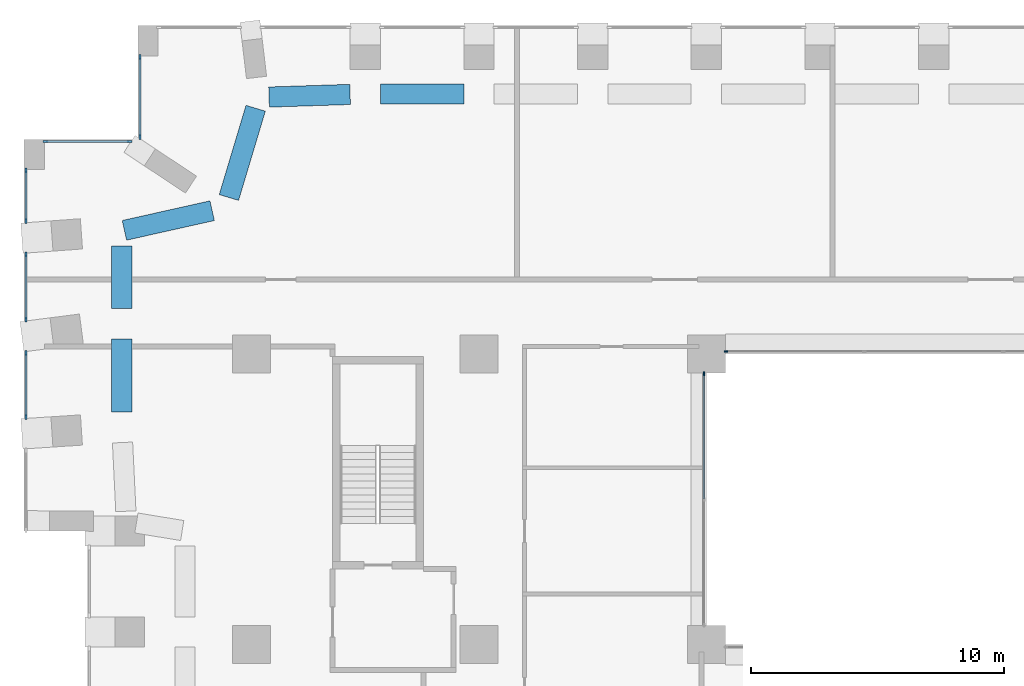
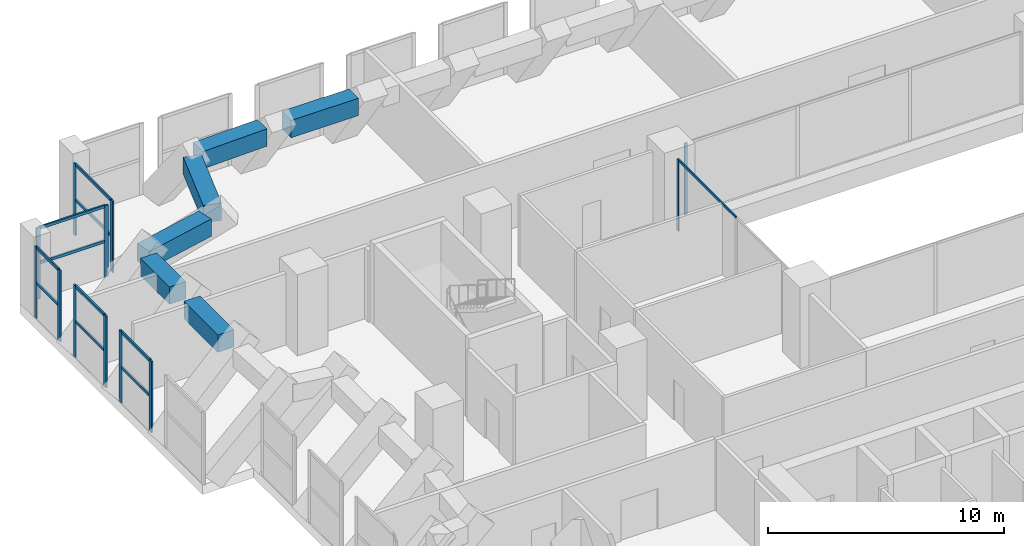
# One storey, part 6 of 20: 23 members, 6 beams, 7 elements without a shape of their own.
"""IFC4 building model written with IfcOpenShell, lengths in metres."""

from ifc_helpers import new_model, si_unit, direction, frame, origin, origin_2d, place, context, subcontext, project, spatial, rectangle, extrude, material, layer, layer_set, material_profile, profile_set, type_object, element, aggregate, save


model = new_model("IFC4")

# Units and contexts
model_context = context("Model", 3, precision=1e-05, world=origin(), true_north=direction((0.0, 1.0)))
body_context = subcontext(model_context, "Body", "Model", "MODEL_VIEW")
ifc_project = project(units=[si_unit("LENGTHUNIT", "METRE"), si_unit("AREAUNIT", "SQUARE_METRE"), si_unit("VOLUMEUNIT", "CUBIC_METRE"), si_unit("PLANEANGLEUNIT", "RADIAN"), si_unit("MASSUNIT", "GRAM", prefix="KILO")], contexts=[model_context])

# Site, building, storey
site_placement = place(None, origin())
site = spatial("IfcSite", under=ifc_project, at=site_placement, CompositionType="ELEMENT")
building_placement = place(site_placement, origin())
building = spatial("IfcBuilding", under=site, at=building_placement, Name="Brigalow Station Residences", CompositionType="ELEMENT")
storey_placement = place(building_placement, frame((0.0, 0.0, 73.050048828125)))
storey = spatial("IfcBuildingStorey", under=building, at=storey_placement, Name="L21", CompositionType="ELEMENT", Elevation=73.050048828125)

# Curtain wall, member
ifc_material_1 = material(Name="Aluminium", Category="aluminium")
ifc_layer_1 = layer(ifc_material_1, 0.14990234375)
ifc_layer_set_1 = layer_set([ifc_layer_1], Name="ATRIUM FIRE-RATED GLAZING CURTAIN WALL")
curtain_wall_type_1 = type_object("IfcCurtainWallType", Name="ATRIUM FIRE-RATED GLAZING CURTAIN WALL", PredefinedType="NOTDEFINED", material=ifc_layer_set_1)
curtain_wall_1_placement = place(storey_placement, origin())
curtain_wall_1 = element("IfcCurtainWall", 1, at=curtain_wall_1_placement, inside=storey, type_object=curtain_wall_type_1, Name="L21/cw/atrium-N", PredefinedType="NOTDEFINED")
ifc_material_2 = material(Name="Aluminium", Category="aluminium")
ifc_material_profile_1 = material_profile(ifc_material_2, rectangle(XDim=0.06005859375, YDim=0.14990234375, at=origin_2d()), Name="ATRIUM FIRE-RATED GLAZING MULLION 60x150")
ifc_profile_set_1 = profile_set([ifc_material_profile_1], Name="Aluminium")
member_type_1 = type_object("IfcMemberType", Name="ATRIUM FIRE-RATED GLAZING MULLION 60x150", PredefinedType="MULLION", material=ifc_profile_set_1)
member_1_placement = place(storey_placement, frame((27.780029296875, 35.60009765625, 0.0), z_axis=(0.0, 0.0, 1.0), x_axis=(0.0, -1.0, 0.0)))
member_1 = element("IfcMember", 2, at=member_1_placement, type_object=member_type_1, Name="L21/cw/atrium-N/M03", PredefinedType="MULLION", context=body_context, shape_type="SweptSolid", body=[
    extrude(rectangle(XDim=0.06005859375, YDim=0.14990234375, at=origin_2d()), origin(), (0.0, 0.0, 1.0), 3.699951171875),
])
aggregate(curtain_wall_1, [member_1])

# Curtain wall, members
curtain_wall_2_placement = place(storey_placement, origin())
curtain_wall_2 = element("IfcCurtainWall", 3, at=curtain_wall_2_placement, inside=storey, type_object=curtain_wall_type_1, Name="L21/cw/atrium-W", PredefinedType="NOTDEFINED")
member_2_placement = place(storey_placement, frame((26.89990234375, 34.719970703125, 0.0), z_axis=(0.0, 0.0, 1.0), x_axis=(1.0, 0.0, 0.0)))
member_2 = element("IfcMember", 4, at=member_2_placement, type_object=member_type_1, Name="L21/cw/atrium-W/M00", PredefinedType="MULLION", context=body_context, shape_type="SweptSolid", body=[
    extrude(rectangle(XDim=0.06005859375, YDim=0.14990234375, at=origin_2d()), origin(), (0.0, 0.0, 1.0), 3.699951171875),
])
ifc_material_3 = material(Name="Aluminium", Category="aluminium")
ifc_material_profile_2 = material_profile(ifc_material_3, rectangle(XDim=0.06005859375, YDim=0.1201171875, at=origin_2d()), Name="ATRIUM FIRE-RATED GLAZING TRANSOM 60x120")
ifc_profile_set_2 = profile_set([ifc_material_profile_2], Name="Aluminium")
member_type_2 = type_object("IfcMemberType", Name="ATRIUM FIRE-RATED GLAZING TRANSOM 60x120", PredefinedType="USERDEFINED", material=ifc_profile_set_2)
member_3_placement = place(storey_placement, frame((26.89990234375, 34.68994140625, 3.669921875), z_axis=(0.0, -1.0, 0.0), x_axis=(1.0, 0.0, 0.0)))
member_3 = element("IfcMember", 5, at=member_3_placement, type_object=member_type_2, Name="L21/cw/atrium-W/T00-00", ObjectType="TRANSOM", PredefinedType="USERDEFINED", context=body_context, shape_type="SweptSolid", body=[
    extrude(rectangle(XDim=0.06005859375, YDim=0.1201171875, at=origin_2d()), origin(), (0.0, 0.0, 1.0), 4.909912109375),
])
aggregate(curtain_wall_2, [member_2, member_3])

# Beams
ifc_material_4 = material(Name="Concrete C65", Category="concrete")
ifc_material_profile_3 = material_profile(ifc_material_4, rectangle(XDim=0.800048828125, YDim=0.89990234375, at=origin_2d()), Name="RC800x900")
ifc_profile_set_3 = profile_set([ifc_material_profile_3], Name="Concrete C65")
beam_type = type_object("IfcBeamType", Name="KINK TIE BEAM 800x900 C65", PredefinedType="BEAM", material=ifc_profile_set_3)
beam_1_placement = place(storey_placement, frame((17.39990234375, 45.7978515625, 3.25), z_axis=(-1.0, 0.0, 0.0), x_axis=(0.0, -1.0, 0.0)))
element("IfcBeam", 6, at=beam_1_placement, inside=storey, type_object=beam_type, Name="KINK TIE BEAM 32 L21", PredefinedType="BEAM", context=body_context, shape_type="SweptSolid", body=[
    extrude(rectangle(XDim=0.800048828125, YDim=0.89990234375, at=origin_2d()), origin(), (0.0, 0.0, 1.0), 3.2998046875),
])
beam_2_placement = place(storey_placement, frame((12.89990234375, 45.778564453125, 3.25), z_axis=(-0.999482404457, -0.032170221967, 0.0), x_axis=(0.032170221967, -0.999482404457, 0.0)))
element("IfcBeam", 7, at=beam_2_placement, inside=storey, type_object=beam_type, Name="KINK TIE BEAM 33 L21", PredefinedType="BEAM", context=body_context, shape_type="SweptSolid", body=[
    extrude(rectangle(XDim=0.800048828125, YDim=0.89990234375, at=origin_2d()), origin(), (0.0, 0.0, 1.0), 3.210205078125),
])
beam_3_placement = place(storey_placement, frame((9.1611328125, 45.232177734375, 3.25), z_axis=(-0.287074667182, -0.957908208266, 0.0), x_axis=(0.957908208266, -0.287074667182, 0.0)))
element("IfcBeam", 8, at=beam_3_placement, inside=storey, type_object=beam_type, Name="KINK TIE BEAM 34 L21", PredefinedType="BEAM", context=body_context, shape_type="SweptSolid", body=[
    extrude(rectangle(XDim=0.800048828125, YDim=0.89990234375, at=origin_2d()), origin(), (0.0, 0.0, 1.0), 3.689208984375),
])
beam_4_placement = place(storey_placement, frame((7.440185546875, 41.1767578125, 3.25), z_axis=(-0.975887634039, -0.218273511288, 0.0), x_axis=(0.218273511288, -0.975887634039, 0.0)))
element("IfcBeam", 9, at=beam_4_placement, inside=storey, type_object=beam_type, Name="KINK TIE BEAM 35 L21", PredefinedType="BEAM", context=body_context, shape_type="SweptSolid", body=[
    extrude(rectangle(XDim=0.800048828125, YDim=0.89990234375, at=origin_2d()), origin(), (0.0, 0.0, 1.0), 3.560302734375),
])
beam_5_placement = place(storey_placement, frame((3.86279296875, 39.77490234375, 3.25), z_axis=(0.0, -1.0, 0.0), x_axis=(1.0, 0.0, 0.0)))
element("IfcBeam", 10, at=beam_5_placement, inside=storey, type_object=beam_type, Name="KINK TIE BEAM 36 L21", PredefinedType="BEAM", context=body_context, shape_type="SweptSolid", body=[
    extrude(rectangle(XDim=0.800048828125, YDim=0.89990234375, at=origin_2d()), origin(), (0.0, 0.0, 1.0), 2.46875),
])
beam_6_placement = place(storey_placement, frame((3.86279296875, 36.09619140625, 3.25), z_axis=(0.0, -1.0, 0.0), x_axis=(1.0, 0.0, 0.0)))
element("IfcBeam", 11, at=beam_6_placement, inside=storey, type_object=beam_type, Name="KINK TIE BEAM 37 L21", PredefinedType="BEAM", context=body_context, shape_type="SweptSolid", body=[
    extrude(rectangle(XDim=0.800048828125, YDim=0.89990234375, at=origin_2d()), origin(), (0.0, 0.0, 1.0), 2.893798828125),
])

# Curtain wall, members
ifc_material_5 = material(Name="Aluminium", Category="aluminium")
ifc_layer_2 = layer(ifc_material_5, 0.199951171875)
ifc_layer_set_2 = layer_set([ifc_layer_2], Name="REFUGE FLOOR LOUVRE CURTAIN WALL")
curtain_wall_type_2 = type_object("IfcCurtainWallType", Name="REFUGE FLOOR LOUVRE CURTAIN WALL", PredefinedType="NOTDEFINED", material=ifc_layer_set_2)
curtain_wall_3_placement = place(storey_placement, origin())
curtain_wall_3 = element("IfcCurtainWall", 12, at=curtain_wall_3_placement, inside=storey, type_object=curtain_wall_type_2, Name="L21/cw/louvre-W-L21-40-38", PredefinedType="NOTDEFINED")
ifc_material_6 = material(Name="Aluminium", Category="aluminium")
ifc_material_profile_4 = material_profile(ifc_material_6, rectangle(XDim=0.080078125, YDim=0.199951171875, at=origin_2d()), Name="REFUGE FLOOR LOUVRE MULLION 80x200")
ifc_profile_set_4 = profile_set([ifc_material_profile_4], Name="Aluminium")
member_type_3 = type_object("IfcMemberType", Name="REFUGE FLOOR LOUVRE MULLION 80x200", PredefinedType="MULLION", material=ifc_profile_set_4)
member_4_placement = place(storey_placement, frame((4.574951171875, 47.260009765625, 0.0), z_axis=(0.0, 0.0, 1.0), x_axis=(1.0, 0.0, 0.0)))
member_4 = element("IfcMember", 13, at=member_4_placement, type_object=member_type_3, Name="L21/cw/louvre-W-L21-40-38/M00", PredefinedType="MULLION", context=body_context, shape_type="SweptSolid", body=[
    extrude(rectangle(XDim=0.080078125, YDim=0.199951171875, at=origin_2d()), origin(), (0.0, 0.0, 1.0), 3.699951171875),
])
member_5_placement = place(storey_placement, frame((4.574951171875, 44.093994140625, 0.0), z_axis=(0.0, 0.0, 1.0), x_axis=(1.0, 0.0, 0.0)))
member_5 = element("IfcMember", 14, at=member_5_placement, type_object=member_type_3, Name="L21/cw/louvre-W-L21-40-38/M01", PredefinedType="MULLION", context=body_context, shape_type="SweptSolid", body=[
    extrude(rectangle(XDim=0.080078125, YDim=0.199951171875, at=origin_2d()), origin(), (0.0, 0.0, 1.0), 3.699951171875),
])

curtain_wall_4_placement = place(storey_placement, origin())
curtain_wall_4 = element("IfcCurtainWall", 15, at=curtain_wall_4_placement, inside=storey, type_object=curtain_wall_type_2, Name="L21/cw/louvre-W-L21-41-39", PredefinedType="NOTDEFINED")
member_6_placement = place(storey_placement, frame((4.171142578125, 43.925048828125, 0.0), z_axis=(0.0, 0.0, 1.0), x_axis=(0.0, -1.0, 0.0)))
member_6 = element("IfcMember", 16, at=member_6_placement, type_object=member_type_3, Name="L21/cw/louvre-W-L21-41-39/M00", PredefinedType="MULLION", context=body_context, shape_type="SweptSolid", body=[
    extrude(rectangle(XDim=0.080078125, YDim=0.199951171875, at=origin_2d()), origin(), (0.0, 0.0, 1.0), 3.699951171875),
])
member_7_placement = place(storey_placement, frame((0.840087890625, 43.925048828125, 0.0), z_axis=(0.0, 0.0, 1.0), x_axis=(0.0, -1.0, 0.0)))
member_7 = element("IfcMember", 17, at=member_7_placement, type_object=member_type_3, Name="L21/cw/louvre-W-L21-41-39/M01", PredefinedType="MULLION", context=body_context, shape_type="SweptSolid", body=[
    extrude(rectangle(XDim=0.080078125, YDim=0.199951171875, at=origin_2d()), origin(), (0.0, 0.0, 1.0), 3.699951171875),
])

curtain_wall_5_placement = place(storey_placement, origin())
curtain_wall_5 = element("IfcCurtainWall", 18, at=curtain_wall_5_placement, inside=storey, type_object=curtain_wall_type_2, Name="L21/cw/louvre-W-L21-42-40", PredefinedType="NOTDEFINED")
member_8_placement = place(storey_placement, frame((0.074951171875, 42.760009765625, 0.0), z_axis=(0.0, 0.0, 1.0), x_axis=(1.0, 0.0, 0.0)))
member_8 = element("IfcMember", 19, at=member_8_placement, type_object=member_type_3, Name="L21/cw/louvre-W-L21-42-40/M00", PredefinedType="MULLION", context=body_context, shape_type="SweptSolid", body=[
    extrude(rectangle(XDim=0.080078125, YDim=0.199951171875, at=origin_2d()), origin(), (0.0, 0.0, 1.0), 3.699951171875),
])
member_9_placement = place(storey_placement, frame((0.074951171875, 40.76318359375, 0.0), z_axis=(0.0, 0.0, 1.0), x_axis=(1.0, 0.0, 0.0)))
member_9 = element("IfcMember", 20, at=member_9_placement, type_object=member_type_3, Name="L21/cw/louvre-W-L21-42-40/M01", PredefinedType="MULLION", context=body_context, shape_type="SweptSolid", body=[
    extrude(rectangle(XDim=0.080078125, YDim=0.199951171875, at=origin_2d()), origin(), (0.0, 0.0, 1.0), 3.699951171875),
])

curtain_wall_6_placement = place(storey_placement, origin())
curtain_wall_6 = element("IfcCurtainWall", 21, at=curtain_wall_6_placement, inside=storey, type_object=curtain_wall_type_2, Name="L21/cw/louvre-W-L21-42-41", PredefinedType="NOTDEFINED")
member_10_placement = place(storey_placement, frame((0.074951171875, 39.439697265625, 0.0), z_axis=(0.0, 0.0, 1.0), x_axis=(1.0, 0.0, 0.0)))
member_10 = element("IfcMember", 22, at=member_10_placement, type_object=member_type_3, Name="L21/cw/louvre-W-L21-42-41/M00", PredefinedType="MULLION", context=body_context, shape_type="SweptSolid", body=[
    extrude(rectangle(XDim=0.080078125, YDim=0.199951171875, at=origin_2d()), origin(), (0.0, 0.0, 1.0), 3.699951171875),
])
member_11_placement = place(storey_placement, frame((0.074951171875, 36.872802734375, 0.0), z_axis=(0.0, 0.0, 1.0), x_axis=(1.0, 0.0, 0.0)))
member_11 = element("IfcMember", 23, at=member_11_placement, type_object=member_type_3, Name="L21/cw/louvre-W-L21-42-41/M01", PredefinedType="MULLION", context=body_context, shape_type="SweptSolid", body=[
    extrude(rectangle(XDim=0.080078125, YDim=0.199951171875, at=origin_2d()), origin(), (0.0, 0.0, 1.0), 3.699951171875),
])

curtain_wall_7_placement = place(storey_placement, origin())
curtain_wall_7 = element("IfcCurtainWall", 24, at=curtain_wall_7_placement, inside=storey, type_object=curtain_wall_type_2, Name="L21/cw/louvre-W-L21-42-42", PredefinedType="NOTDEFINED")
member_12_placement = place(storey_placement, frame((0.074951171875, 35.54248046875, 0.0), z_axis=(0.0, 0.0, 1.0), x_axis=(1.0, 0.0, 0.0)))
member_12 = element("IfcMember", 25, at=member_12_placement, type_object=member_type_3, Name="L21/cw/louvre-W-L21-42-42/M00", PredefinedType="MULLION", context=body_context, shape_type="SweptSolid", body=[
    extrude(rectangle(XDim=0.080078125, YDim=0.199951171875, at=origin_2d()), origin(), (0.0, 0.0, 1.0), 3.699951171875),
])
member_13_placement = place(storey_placement, frame((0.074951171875, 33.01513671875, 0.0), z_axis=(0.0, 0.0, 1.0), x_axis=(1.0, 0.0, 0.0)))
member_13 = element("IfcMember", 26, at=member_13_placement, type_object=member_type_3, Name="L21/cw/louvre-W-L21-42-42/M01", PredefinedType="MULLION", context=body_context, shape_type="SweptSolid", body=[
    extrude(rectangle(XDim=0.080078125, YDim=0.199951171875, at=origin_2d()), origin(), (0.0, 0.0, 1.0), 3.699951171875),
])

# Member
ifc_material_7 = material(Name="Aluminium", Category="aluminium")
ifc_material_profile_5 = material_profile(ifc_material_7, rectangle(XDim=0.080078125, YDim=0.14990234375, at=origin_2d()), Name="REFUGE FLOOR LOUVRE TRANSOM 80x150")
ifc_profile_set_5 = profile_set([ifc_material_profile_5], Name="Aluminium")
member_type_4 = type_object("IfcMemberType", Name="REFUGE FLOOR LOUVRE TRANSOM 80x150", PredefinedType="USERDEFINED", material=ifc_profile_set_5)
member_14_placement = place(storey_placement, frame((4.574951171875, 47.219970703125, 1.849853515625), z_axis=(0.0, -1.0, 0.0), x_axis=(1.0, 0.0, 0.0)))
member_14 = element("IfcMember", 27, at=member_14_placement, type_object=member_type_4, Name="L21/cw/louvre-W-L21-40-38/T00-00", ObjectType="TRANSOM", PredefinedType="USERDEFINED", context=body_context, shape_type="SweptSolid", body=[
    extrude(rectangle(XDim=0.080078125, YDim=0.14990234375, at=origin_2d()), origin(), (0.0, 0.0, 1.0), 3.086181640625),
])

member_15_placement = place(storey_placement, frame((4.574951171875, 47.219970703125, 3.659912109375), z_axis=(0.0, -1.0, 0.0), x_axis=(1.0, 0.0, 0.0)))
member_15 = element("IfcMember", 28, at=member_15_placement, type_object=member_type_4, Name="L21/cw/louvre-W-L21-40-38/T00-01", ObjectType="TRANSOM", PredefinedType="USERDEFINED", context=body_context, shape_type="SweptSolid", body=[
    extrude(rectangle(XDim=0.080078125, YDim=0.14990234375, at=origin_2d()), origin(), (0.0, 0.0, 1.0), 3.086181640625),
])

aggregate(curtain_wall_3, [member_4, member_5, member_14, member_15])

member_16_placement = place(storey_placement, frame((4.131103515625, 43.925048828125, 1.849853515625), z_axis=(-1.0, 0.0, 0.0), x_axis=(0.0, -1.0, 0.0)))
member_16 = element("IfcMember", 29, at=member_16_placement, type_object=member_type_4, Name="L21/cw/louvre-W-L21-41-39/T00-00", ObjectType="TRANSOM", PredefinedType="USERDEFINED", context=body_context, shape_type="SweptSolid", body=[
    extrude(rectangle(XDim=0.080078125, YDim=0.14990234375, at=origin_2d()), origin(), (0.0, 0.0, 1.0), 3.251220703125),
])

member_17_placement = place(storey_placement, frame((4.131103515625, 43.925048828125, 3.659912109375), z_axis=(-1.0, 0.0, 0.0), x_axis=(0.0, -1.0, 0.0)))
member_17 = element("IfcMember", 30, at=member_17_placement, type_object=member_type_4, Name="L21/cw/louvre-W-L21-41-39/T00-01", ObjectType="TRANSOM", PredefinedType="USERDEFINED", context=body_context, shape_type="SweptSolid", body=[
    extrude(rectangle(XDim=0.080078125, YDim=0.14990234375, at=origin_2d()), origin(), (0.0, 0.0, 1.0), 3.251220703125),
])

aggregate(curtain_wall_4, [member_6, member_7, member_16, member_17])

member_18_placement = place(storey_placement, frame((0.074951171875, 42.719970703125, 1.849853515625), z_axis=(0.0, -1.0, 0.0), x_axis=(1.0, 0.0, 0.0)))
member_18 = element("IfcMember", 31, at=member_18_placement, type_object=member_type_4, Name="L21/cw/louvre-W-L21-42-40/T00-00", ObjectType="TRANSOM", PredefinedType="USERDEFINED", context=body_context, shape_type="SweptSolid", body=[
    extrude(rectangle(XDim=0.080078125, YDim=0.14990234375, at=origin_2d()), origin(), (0.0, 0.0, 1.0), 1.9169921875),
])

member_19_placement = place(storey_placement, frame((0.074951171875, 42.719970703125, 3.659912109375), z_axis=(0.0, -1.0, 0.0), x_axis=(1.0, 0.0, 0.0)))
member_19 = element("IfcMember", 32, at=member_19_placement, type_object=member_type_4, Name="L21/cw/louvre-W-L21-42-40/T00-01", ObjectType="TRANSOM", PredefinedType="USERDEFINED", context=body_context, shape_type="SweptSolid", body=[
    extrude(rectangle(XDim=0.080078125, YDim=0.14990234375, at=origin_2d()), origin(), (0.0, 0.0, 1.0), 1.9169921875),
])

aggregate(curtain_wall_5, [member_8, member_9, member_18, member_19])

member_20_placement = place(storey_placement, frame((0.074951171875, 39.39990234375, 1.849853515625), z_axis=(0.0, -1.0, 0.0), x_axis=(1.0, 0.0, 0.0)))
member_20 = element("IfcMember", 33, at=member_20_placement, type_object=member_type_4, Name="L21/cw/louvre-W-L21-42-41/T00-00", ObjectType="TRANSOM", PredefinedType="USERDEFINED", context=body_context, shape_type="SweptSolid", body=[
    extrude(rectangle(XDim=0.080078125, YDim=0.14990234375, at=origin_2d()), origin(), (0.0, 0.0, 1.0), 2.487060546875),
])

member_21_placement = place(storey_placement, frame((0.074951171875, 39.39990234375, 3.659912109375), z_axis=(0.0, -1.0, 0.0), x_axis=(1.0, 0.0, 0.0)))
member_21 = element("IfcMember", 34, at=member_21_placement, type_object=member_type_4, Name="L21/cw/louvre-W-L21-42-41/T00-01", ObjectType="TRANSOM", PredefinedType="USERDEFINED", context=body_context, shape_type="SweptSolid", body=[
    extrude(rectangle(XDim=0.080078125, YDim=0.14990234375, at=origin_2d()), origin(), (0.0, 0.0, 1.0), 2.487060546875),
])

aggregate(curtain_wall_6, [member_10, member_11, member_20, member_21])

member_22_placement = place(storey_placement, frame((0.074951171875, 35.50244140625, 1.849853515625), z_axis=(0.0, -1.0, 0.0), x_axis=(1.0, 0.0, 0.0)))
member_22 = element("IfcMember", 35, at=member_22_placement, type_object=member_type_4, Name="L21/cw/louvre-W-L21-42-42/T00-00", ObjectType="TRANSOM", PredefinedType="USERDEFINED", context=body_context, shape_type="SweptSolid", body=[
    extrude(rectangle(XDim=0.080078125, YDim=0.14990234375, at=origin_2d()), origin(), (0.0, 0.0, 1.0), 2.447265625),
])

member_23_placement = place(storey_placement, frame((0.074951171875, 35.50244140625, 3.659912109375), z_axis=(0.0, -1.0, 0.0), x_axis=(1.0, 0.0, 0.0)))
member_23 = element("IfcMember", 36, at=member_23_placement, type_object=member_type_4, Name="L21/cw/louvre-W-L21-42-42/T00-01", ObjectType="TRANSOM", PredefinedType="USERDEFINED", context=body_context, shape_type="SweptSolid", body=[
    extrude(rectangle(XDim=0.080078125, YDim=0.14990234375, at=origin_2d()), origin(), (0.0, 0.0, 1.0), 2.447265625),
])

aggregate(curtain_wall_7, [member_12, member_13, member_22, member_23])

save(model, "model.ifc")
